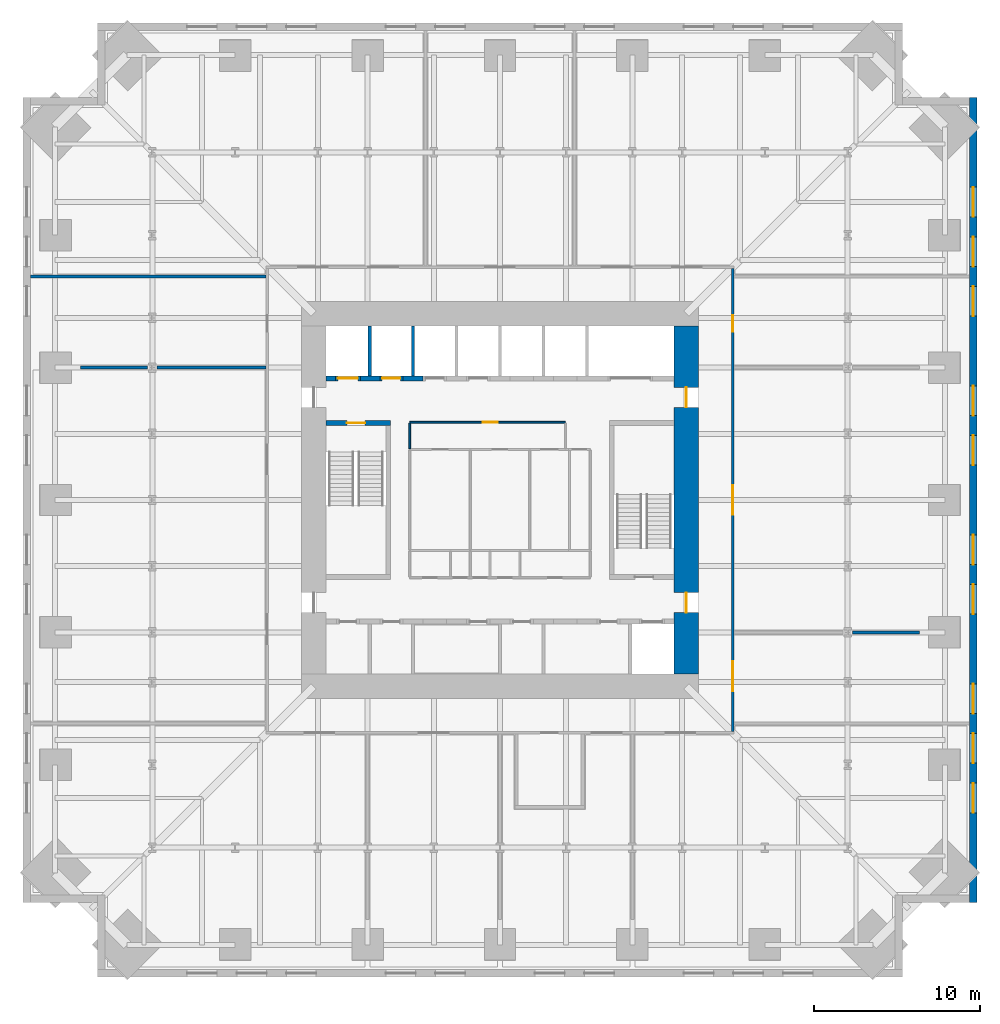
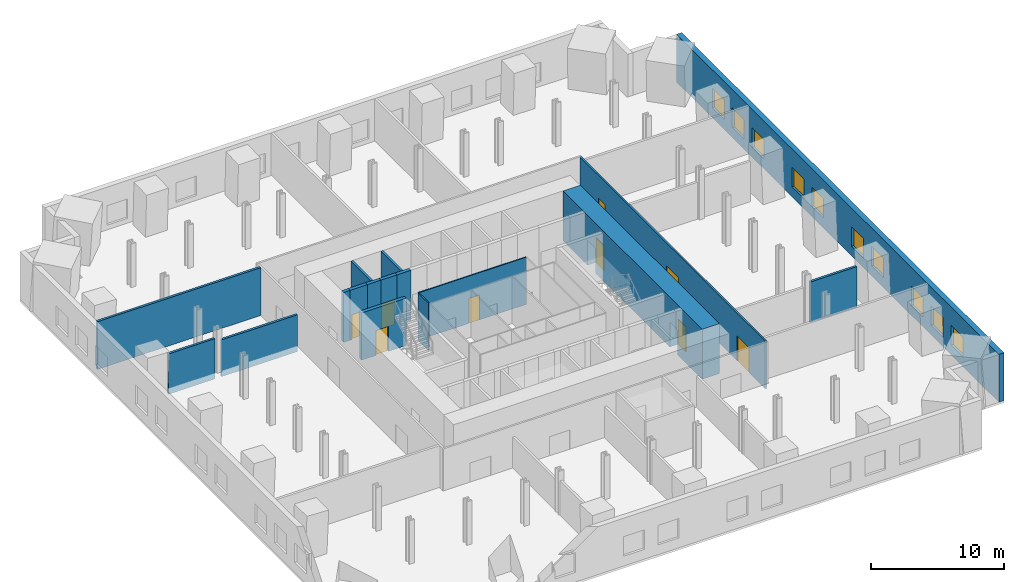
# One storey, part 6 of 9: 17 walls, 10 windows, 9 doors, 19 openings.
"""IFC4 building model written with IfcOpenShell, lengths in metres."""

from ifc_helpers import new_model, si_unit, direction, frame, frame_2d, origin, place, context, subcontext, project, spatial, rectangle, extrude, material, layer, layer_set, type_object, element, fill, save


model = new_model("IFC4")

# Units and contexts
model_context = context("Model", 3, precision=1e-05, world=origin(), true_north=direction((0.0, 1.0)))
body_context = subcontext(model_context, "Body", "Model", "MODEL_VIEW")
ifc_project = project(units=[si_unit("LENGTHUNIT", "METRE"), si_unit("AREAUNIT", "SQUARE_METRE"), si_unit("VOLUMEUNIT", "CUBIC_METRE"), si_unit("PLANEANGLEUNIT", "RADIAN"), si_unit("MASSUNIT", "GRAM", prefix="KILO")], contexts=[model_context])

# Site, building, storey
site_placement = place(None, origin())
site = spatial("IfcSite", under=ifc_project, at=site_placement, CompositionType="ELEMENT")
building_placement = place(site_placement, origin())
building = spatial("IfcBuilding", under=site, at=building_placement, Name="Peilmerk Tower", CompositionType="ELEMENT")
storey_placement = place(building_placement, frame((0.0, 0.0, 99.800048828125)))
storey = spatial("IfcBuildingStorey", under=building, at=storey_placement, Name="L19", CompositionType="ELEMENT", Elevation=99.800048828125)

# Wall, openings, windows
ifc_material_1 = material(Name="Precast concrete C45/55, board-marked finish", Category="concrete")
ifc_layer_1 = layer(ifc_material_1, 0.449951171875)
ifc_layer_set_1 = layer_set([ifc_layer_1], Name="Precast concrete C45/55, board-marked finish")
wall_type_1 = type_object("IfcWallType", Name="EW1 450 precast concrete facade wall, board-marked", PredefinedType="SOLIDWALL", material=ifc_layer_set_1)
wall_1_placement = place(storey_placement, frame((28.574951171875, -24.300048828125, 0.0), z_axis=(0.0, 0.0, 1.0), x_axis=(0.0, 1.0, 0.0)))
wall_1 = element("IfcWall", 1, at=wall_1_placement, inside=storey, type_object=wall_type_1, Name="Facade wall E L19", PredefinedType="SOLIDWALL", context=body_context, shape_type="SweptSolid", body=[
    extrude(rectangle(XDim=48.60009765625, YDim=0.449951171875, at=frame_2d((24.300048828125, 0.0))), origin(), (0.0, 0.0, 1.0), 4.39990234375),
])
opening_1_placement = place(wall_1_placement, frame((5.39990234375, 0.0, 0.89990234375)))
opening_1 = element("IfcOpeningElement", 2, at=opening_1_placement, cuts=wall_1, Name="Opening W3", PredefinedType="OPENING", context=body_context, shape_type="SweptSolid", body=[
    extrude(rectangle(XDim=1.800048828125, YDim=1.800048828125, at=frame_2d((0.89990234375, 0.89990234375))), frame((0.0, 0.23486328125, 0.0), z_axis=(0.0, -1.0, 0.0), x_axis=(1.0, 0.0, 0.0)), (0.0, 0.0, 1.0), 0.469970703125),
])
opening_2_placement = place(wall_1_placement, frame((8.39990234375, 0.0, 0.89990234375)))
opening_2 = element("IfcOpeningElement", 3, at=opening_2_placement, cuts=wall_1, Name="Opening W3", PredefinedType="OPENING", context=body_context, shape_type="SweptSolid", body=[
    extrude(rectangle(XDim=1.800048828125, YDim=1.800048828125, at=frame_2d((0.89990234375, 0.89990234375))), frame((0.0, 0.23486328125, 0.0), z_axis=(0.0, -1.0, 0.0), x_axis=(1.0, 0.0, 0.0)), (0.0, 0.0, 1.0), 0.469970703125),
])
opening_3_placement = place(wall_1_placement, frame((11.39990234375, 0.0, 0.89990234375)))
opening_3 = element("IfcOpeningElement", 4, at=opening_3_placement, cuts=wall_1, Name="Opening W3", PredefinedType="OPENING", context=body_context, shape_type="SweptSolid", body=[
    extrude(rectangle(XDim=1.800048828125, YDim=1.800048828125, at=frame_2d((0.89990234375, 0.89990234375))), frame((0.0, 0.23486328125, 0.0), z_axis=(0.0, -1.0, 0.0), x_axis=(1.0, 0.0, 0.0)), (0.0, 0.0, 1.0), 0.469970703125),
])
opening_4_placement = place(wall_1_placement, frame((17.39990234375, 0.0, 0.89990234375)))
opening_4 = element("IfcOpeningElement", 5, at=opening_4_placement, cuts=wall_1, Name="Opening W3", PredefinedType="OPENING", context=body_context, shape_type="SweptSolid", body=[
    extrude(rectangle(XDim=1.800048828125, YDim=1.800048828125, at=frame_2d((0.89990234375, 0.89990234375))), frame((0.0, 0.23486328125, 0.0), z_axis=(0.0, -1.0, 0.0), x_axis=(1.0, 0.0, 0.0)), (0.0, 0.0, 1.0), 0.469970703125),
])
opening_5_placement = place(wall_1_placement, frame((20.39990234375, 0.0, 0.89990234375)))
opening_5 = element("IfcOpeningElement", 6, at=opening_5_placement, cuts=wall_1, Name="Opening W3", PredefinedType="OPENING", context=body_context, shape_type="SweptSolid", body=[
    extrude(rectangle(XDim=1.800048828125, YDim=1.800048828125, at=frame_2d((0.89990234375, 0.89990234375))), frame((0.0, 0.23486328125, 0.0), z_axis=(0.0, -1.0, 0.0), x_axis=(1.0, 0.0, 0.0)), (0.0, 0.0, 1.0), 0.469970703125),
])
opening_6_placement = place(wall_1_placement, frame((26.39990234375, 0.0, 0.89990234375)))
opening_6 = element("IfcOpeningElement", 7, at=opening_6_placement, cuts=wall_1, Name="Opening W3", PredefinedType="OPENING", context=body_context, shape_type="SweptSolid", body=[
    extrude(rectangle(XDim=1.800048828125, YDim=1.800048828125, at=frame_2d((0.89990234375, 0.89990234375))), frame((0.0, 0.23486328125, 0.0), z_axis=(0.0, -1.0, 0.0), x_axis=(1.0, 0.0, 0.0)), (0.0, 0.0, 1.0), 0.469970703125),
])
opening_7_placement = place(wall_1_placement, frame((29.39990234375, 0.0, 0.89990234375)))
opening_7 = element("IfcOpeningElement", 8, at=opening_7_placement, cuts=wall_1, Name="Opening W3", PredefinedType="OPENING", context=body_context, shape_type="SweptSolid", body=[
    extrude(rectangle(XDim=1.800048828125, YDim=1.800048828125, at=frame_2d((0.89990234375, 0.89990234375))), frame((0.0, 0.23486328125, 0.0), z_axis=(0.0, -1.0, 0.0), x_axis=(1.0, 0.0, 0.0)), (0.0, 0.0, 1.0), 0.469970703125),
])
opening_8_placement = place(wall_1_placement, frame((35.39990234375, 0.0, 0.89990234375)))
opening_8 = element("IfcOpeningElement", 9, at=opening_8_placement, cuts=wall_1, Name="Opening W3", PredefinedType="OPENING", context=body_context, shape_type="SweptSolid", body=[
    extrude(rectangle(XDim=1.800048828125, YDim=1.800048828125, at=frame_2d((0.89990234375, 0.89990234375))), frame((0.0, 0.23486328125, 0.0), z_axis=(0.0, -1.0, 0.0), x_axis=(1.0, 0.0, 0.0)), (0.0, 0.0, 1.0), 0.469970703125),
])
opening_9_placement = place(wall_1_placement, frame((38.39990234375, 0.0, 0.89990234375)))
opening_9 = element("IfcOpeningElement", 10, at=opening_9_placement, cuts=wall_1, Name="Opening W3", PredefinedType="OPENING", context=body_context, shape_type="SweptSolid", body=[
    extrude(rectangle(XDim=1.800048828125, YDim=1.800048828125, at=frame_2d((0.89990234375, 0.89990234375))), frame((0.0, 0.23486328125, 0.0), z_axis=(0.0, -1.0, 0.0), x_axis=(1.0, 0.0, 0.0)), (0.0, 0.0, 1.0), 0.469970703125),
])
opening_10_placement = place(wall_1_placement, frame((41.39990234375, 0.0, 0.89990234375)))
opening_10 = element("IfcOpeningElement", 11, at=opening_10_placement, cuts=wall_1, Name="Opening W3", PredefinedType="OPENING", context=body_context, shape_type="SweptSolid", body=[
    extrude(rectangle(XDim=1.800048828125, YDim=1.800048828125, at=frame_2d((0.89990234375, 0.89990234375))), frame((0.0, 0.23486328125, 0.0), z_axis=(0.0, -1.0, 0.0), x_axis=(1.0, 0.0, 0.0)), (0.0, 0.0, 1.0), 0.469970703125),
])
ifc_material_2 = material(Name="Aluminium frame, clear double glazing", Category="aluminium")
window_type = type_object("IfcWindowType", Name="W3 1800x1800 telecom floor window", PartitioningType="SINGLE_PANEL", PredefinedType="WINDOW", material=ifc_material_2)
window_1_placement = place(opening_1_placement, origin())
window_1 = element("IfcWindow", 12, at=window_1_placement, inside=storey, type_object=window_type, Name="Window W3 L19", OverallHeight=1.800048828125, OverallWidth=1.800048828125, PartitioningType="SINGLE_PANEL", PredefinedType="WINDOW", context=body_context, shape_type="SweptSolid", body=[
    extrude(rectangle(XDim=1.800048828125, YDim=1.800048828125, at=frame_2d((0.89990234375, 0.89990234375))), frame((0.0, 0.030029296875, 0.0), z_axis=(0.0, -1.0, 0.0), x_axis=(1.0, 0.0, 0.0)), (0.0, 0.0, 1.0), 0.06005859375),
])
fill(opening_1, window_1)
window_2_placement = place(opening_2_placement, origin())
window_2 = element("IfcWindow", 13, at=window_2_placement, inside=storey, type_object=window_type, Name="Window W3 L19", OverallHeight=1.800048828125, OverallWidth=1.800048828125, PartitioningType="SINGLE_PANEL", PredefinedType="WINDOW", context=body_context, shape_type="SweptSolid", body=[
    extrude(rectangle(XDim=1.800048828125, YDim=1.800048828125, at=frame_2d((0.89990234375, 0.89990234375))), frame((0.0, 0.030029296875, 0.0), z_axis=(0.0, -1.0, 0.0), x_axis=(1.0, 0.0, 0.0)), (0.0, 0.0, 1.0), 0.06005859375),
])
fill(opening_2, window_2)
window_3_placement = place(opening_3_placement, origin())
window_3 = element("IfcWindow", 14, at=window_3_placement, inside=storey, type_object=window_type, Name="Window W3 L19", OverallHeight=1.800048828125, OverallWidth=1.800048828125, PartitioningType="SINGLE_PANEL", PredefinedType="WINDOW", context=body_context, shape_type="SweptSolid", body=[
    extrude(rectangle(XDim=1.800048828125, YDim=1.800048828125, at=frame_2d((0.89990234375, 0.89990234375))), frame((0.0, 0.030029296875, 0.0), z_axis=(0.0, -1.0, 0.0), x_axis=(1.0, 0.0, 0.0)), (0.0, 0.0, 1.0), 0.06005859375),
])
fill(opening_3, window_3)
window_4_placement = place(opening_4_placement, origin())
window_4 = element("IfcWindow", 15, at=window_4_placement, inside=storey, type_object=window_type, Name="Window W3 L19", OverallHeight=1.800048828125, OverallWidth=1.800048828125, PartitioningType="SINGLE_PANEL", PredefinedType="WINDOW", context=body_context, shape_type="SweptSolid", body=[
    extrude(rectangle(XDim=1.800048828125, YDim=1.800048828125, at=frame_2d((0.89990234375, 0.89990234375))), frame((0.0, 0.030029296875, 0.0), z_axis=(0.0, -1.0, 0.0), x_axis=(1.0, 0.0, 0.0)), (0.0, 0.0, 1.0), 0.06005859375),
])
fill(opening_4, window_4)
window_5_placement = place(opening_5_placement, origin())
window_5 = element("IfcWindow", 16, at=window_5_placement, inside=storey, type_object=window_type, Name="Window W3 L19", OverallHeight=1.800048828125, OverallWidth=1.800048828125, PartitioningType="SINGLE_PANEL", PredefinedType="WINDOW", context=body_context, shape_type="SweptSolid", body=[
    extrude(rectangle(XDim=1.800048828125, YDim=1.800048828125, at=frame_2d((0.89990234375, 0.89990234375))), frame((0.0, 0.030029296875, 0.0), z_axis=(0.0, -1.0, 0.0), x_axis=(1.0, 0.0, 0.0)), (0.0, 0.0, 1.0), 0.06005859375),
])
fill(opening_5, window_5)
window_6_placement = place(opening_6_placement, origin())
window_6 = element("IfcWindow", 17, at=window_6_placement, inside=storey, type_object=window_type, Name="Window W3 L19", OverallHeight=1.800048828125, OverallWidth=1.800048828125, PartitioningType="SINGLE_PANEL", PredefinedType="WINDOW", context=body_context, shape_type="SweptSolid", body=[
    extrude(rectangle(XDim=1.800048828125, YDim=1.800048828125, at=frame_2d((0.89990234375, 0.89990234375))), frame((0.0, 0.030029296875, 0.0), z_axis=(0.0, -1.0, 0.0), x_axis=(1.0, 0.0, 0.0)), (0.0, 0.0, 1.0), 0.06005859375),
])
fill(opening_6, window_6)
window_7_placement = place(opening_7_placement, origin())
window_7 = element("IfcWindow", 18, at=window_7_placement, inside=storey, type_object=window_type, Name="Window W3 L19", OverallHeight=1.800048828125, OverallWidth=1.800048828125, PartitioningType="SINGLE_PANEL", PredefinedType="WINDOW", context=body_context, shape_type="SweptSolid", body=[
    extrude(rectangle(XDim=1.800048828125, YDim=1.800048828125, at=frame_2d((0.89990234375, 0.89990234375))), frame((0.0, 0.030029296875, 0.0), z_axis=(0.0, -1.0, 0.0), x_axis=(1.0, 0.0, 0.0)), (0.0, 0.0, 1.0), 0.06005859375),
])
fill(opening_7, window_7)
window_8_placement = place(opening_8_placement, origin())
window_8 = element("IfcWindow", 19, at=window_8_placement, inside=storey, type_object=window_type, Name="Window W3 L19", OverallHeight=1.800048828125, OverallWidth=1.800048828125, PartitioningType="SINGLE_PANEL", PredefinedType="WINDOW", context=body_context, shape_type="SweptSolid", body=[
    extrude(rectangle(XDim=1.800048828125, YDim=1.800048828125, at=frame_2d((0.89990234375, 0.89990234375))), frame((0.0, 0.030029296875, 0.0), z_axis=(0.0, -1.0, 0.0), x_axis=(1.0, 0.0, 0.0)), (0.0, 0.0, 1.0), 0.06005859375),
])
fill(opening_8, window_8)
window_9_placement = place(opening_9_placement, origin())
window_9 = element("IfcWindow", 20, at=window_9_placement, inside=storey, type_object=window_type, Name="Window W3 L19", OverallHeight=1.800048828125, OverallWidth=1.800048828125, PartitioningType="SINGLE_PANEL", PredefinedType="WINDOW", context=body_context, shape_type="SweptSolid", body=[
    extrude(rectangle(XDim=1.800048828125, YDim=1.800048828125, at=frame_2d((0.89990234375, 0.89990234375))), frame((0.0, 0.030029296875, 0.0), z_axis=(0.0, -1.0, 0.0), x_axis=(1.0, 0.0, 0.0)), (0.0, 0.0, 1.0), 0.06005859375),
])
fill(opening_9, window_9)
window_10_placement = place(opening_10_placement, origin())
window_10 = element("IfcWindow", 21, at=window_10_placement, inside=storey, type_object=window_type, Name="Window W3 L19", OverallHeight=1.800048828125, OverallWidth=1.800048828125, PartitioningType="SINGLE_PANEL", PredefinedType="WINDOW", context=body_context, shape_type="SweptSolid", body=[
    extrude(rectangle(XDim=1.800048828125, YDim=1.800048828125, at=frame_2d((0.89990234375, 0.89990234375))), frame((0.0, 0.030029296875, 0.0), z_axis=(0.0, -1.0, 0.0), x_axis=(1.0, 0.0, 0.0)), (0.0, 0.0, 1.0), 0.06005859375),
])
fill(opening_10, window_10)

# Wall, openings, doors
ifc_material_3 = material(Name="Calcium silicate block", Category="masonry")
ifc_layer_2 = layer(ifc_material_3, 0.14990234375)
ifc_layer_set_2 = layer_set([ifc_layer_2], Name="Calcium silicate block")
wall_type_2 = type_object("IfcWallType", Name="IW1 150 corridor partition, EI 60", PredefinedType="PARTITIONING", material=ifc_layer_set_2)
wall_2_placement = place(storey_placement, frame((14.050048828125, -13.97509765625, 0.0), z_axis=(0.0, 0.0, 1.0), x_axis=(0.0, 1.0, 0.0)))
wall_2 = element("IfcWall", 22, at=wall_2_placement, inside=storey, type_object=wall_type_2, Name="Corridor wall E L19", PredefinedType="PARTITIONING", context=body_context, shape_type="SweptSolid", body=[
    extrude(rectangle(XDim=27.9501953125, YDim=0.14990234375, at=frame_2d((13.97509765625, 0.0))), origin(), (0.0, 0.0, 1.0), 4.39990234375),
])
opening_11_placement = place(wall_2_placement, frame((2.425048828125, 0.0, 0.0)))
opening_11 = element("IfcOpeningElement", 23, at=opening_11_placement, cuts=wall_2, Name="Opening D2", PredefinedType="OPENING", context=body_context, shape_type="SweptSolid", body=[
    extrude(rectangle(XDim=1.800048828125, YDim=2.300048828125, at=frame_2d((0.89990234375, 1.14990234375))), frame((0.0, 0.0849609375, 0.0), z_axis=(0.0, -1.0, 0.0), x_axis=(1.0, 0.0, 0.0)), (0.0, 0.0, 1.0), 0.169921875),
])
opening_12_placement = place(wall_2_placement, frame((13.074951171875, 0.0, 0.0)))
opening_12 = element("IfcOpeningElement", 24, at=opening_12_placement, cuts=wall_2, Name="Opening D2", PredefinedType="OPENING", context=body_context, shape_type="SweptSolid", body=[
    extrude(rectangle(XDim=1.800048828125, YDim=2.300048828125, at=frame_2d((0.89990234375, 1.14990234375))), frame((0.0, 0.0849609375, 0.0), z_axis=(0.0, -1.0, 0.0), x_axis=(1.0, 0.0, 0.0)), (0.0, 0.0, 1.0), 0.169921875),
])
opening_13_placement = place(wall_2_placement, frame((24.125, 0.0, 0.0)))
opening_13 = element("IfcOpeningElement", 25, at=opening_13_placement, cuts=wall_2, Name="Opening D1", PredefinedType="OPENING", context=body_context, shape_type="SweptSolid", body=[
    extrude(rectangle(XDim=1.0, YDim=2.300048828125, at=frame_2d((0.5, 1.14990234375))), frame((0.0, 0.0849609375, 0.0), z_axis=(0.0, -1.0, 0.0), x_axis=(1.0, 0.0, 0.0)), (0.0, 0.0, 1.0), 0.169921875),
])
ifc_material_4 = material(Name="Timber door in steel frame", Category="steel")
door_type_1 = type_object("IfcDoorType", Name="D1 1000x2300 room door, EI2 30", OperationType="SINGLE_SWING_LEFT", PredefinedType="DOOR", material=ifc_material_4)
door_1_placement = place(opening_13_placement, frame((1.0, 0.0, 0.0), z_axis=(0.0, 0.0, 1.0), x_axis=(-1.0, 0.0, 0.0)))
door_1 = element("IfcDoor", 26, at=door_1_placement, inside=storey, type_object=door_type_1, Name="Door Power distribution room L19", OperationType="SINGLE_SWING_LEFT", OverallHeight=2.300048828125, OverallWidth=1.0, PredefinedType="DOOR", context=body_context, shape_type="SweptSolid", body=[
    extrude(rectangle(XDim=1.0, YDim=2.300048828125, at=frame_2d((0.5, 1.14990234375))), frame((0.0, 0.02490234375, 0.0), z_axis=(0.0, -1.0, 0.0), x_axis=(1.0, 0.0, 0.0)), (0.0, 0.0, 1.0), 0.050048828125),
])
fill(opening_13, door_1)
ifc_material_5 = material(Name="Steel door in steel frame", Category="steel")
door_type_2 = type_object("IfcDoorType", Name="D2 1800x2300 double door, EI2 60", OperationType="DOUBLE_DOOR_DOUBLE_SWING", PredefinedType="DOOR", material=ifc_material_5)
door_2_placement = place(opening_11_placement, frame((1.800048828125, 0.0, 0.0), z_axis=(0.0, 0.0, 1.0), x_axis=(-1.0, 0.0, 0.0)))
door_2 = element("IfcDoor", 27, at=door_2_placement, inside=storey, type_object=door_type_2, Name="Door Rectifier room L19", OperationType="DOUBLE_DOOR_DOUBLE_SWING", OverallHeight=2.300048828125, OverallWidth=1.800048828125, PredefinedType="DOOR", context=body_context, shape_type="SweptSolid", body=[
    extrude(rectangle(XDim=1.800048828125, YDim=2.300048828125, at=frame_2d((0.89990234375, 1.14990234375))), frame((0.0, 0.02490234375, 0.0), z_axis=(0.0, -1.0, 0.0), x_axis=(1.0, 0.0, 0.0)), (0.0, 0.0, 1.0), 0.050048828125),
])
fill(opening_11, door_2)
door_3_placement = place(opening_12_placement, frame((1.800048828125, 0.0, 0.0), z_axis=(0.0, 0.0, 1.0), x_axis=(-1.0, 0.0, 0.0)))
door_3 = element("IfcDoor", 28, at=door_3_placement, inside=storey, type_object=door_type_2, Name="Door Battery room L19", OperationType="DOUBLE_DOOR_DOUBLE_SWING", OverallHeight=2.300048828125, OverallWidth=1.800048828125, PredefinedType="DOOR", context=body_context, shape_type="SweptSolid", body=[
    extrude(rectangle(XDim=1.800048828125, YDim=2.300048828125, at=frame_2d((0.89990234375, 1.14990234375))), frame((0.0, 0.02490234375, 0.0), z_axis=(0.0, -1.0, 0.0), x_axis=(1.0, 0.0, 0.0)), (0.0, 0.0, 1.0), 0.050048828125),
])
fill(opening_12, door_3)

# Walls
ifc_layer_3 = layer(ifc_material_3, 0.199951171875)
ifc_layer_set_3 = layer_set([ifc_layer_3], Name="Calcium silicate block")
wall_type_3 = type_object("IfcWallType", Name="IW2 200 room separating wall, EI 120", PredefinedType="PARTITIONING", material=ifc_layer_set_3)
wall_3_placement = place(storey_placement, frame((-28.35009765625, 13.5, 0.0), z_axis=(0.0, 0.0, 1.0), x_axis=(1.0, 0.0, 0.0)))
element("IfcWall", 29, at=wall_3_placement, inside=storey, type_object=wall_type_3, Name="Room separating wall NW L19", PredefinedType="PARTITIONING", context=body_context, shape_type="SweptSolid", body=[
    extrude(rectangle(XDim=14.22509765625, YDim=0.199951171875, at=frame_2d((7.112548828125, 0.0))), origin(), (0.0, 0.0, 1.0), 4.39990234375),
])
wall_4_placement = place(storey_placement, frame((21.284423828125, -8.0, 0.0), z_axis=(0.0, 0.0, 1.0), x_axis=(1.0, 0.0, 0.0)))
element("IfcWall", 30, at=wall_4_placement, inside=storey, type_object=wall_type_3, Name="Room separating wall E1b L19", PredefinedType="PARTITIONING", context=body_context, shape_type="SweptSolid", body=[
    extrude(rectangle(XDim=4.05908203125, YDim=0.199951171875, at=frame_2d((2.029541015625, 0.0))), origin(), (0.0, 0.0, 1.0), 3.7099609375),
])
wall_5_placement = place(storey_placement, frame((-14.125, 8.0, 0.0), z_axis=(0.0, 0.0, 1.0), x_axis=(-1.0, 0.0, 0.0)))
element("IfcWall", 31, at=wall_5_placement, inside=storey, type_object=wall_type_3, Name="Room separating wall W1 L19", PredefinedType="PARTITIONING", context=body_context, shape_type="SweptSolid", body=[
    extrude(rectangle(XDim=6.590576171875, YDim=0.199951171875, at=frame_2d((3.29541015625, 0.0))), origin(), (0.0, 0.0, 1.0), 3.391845703125),
])
wall_6_placement = place(storey_placement, frame((-21.284423828125, 8.0, 0.0), z_axis=(0.0, 0.0, 1.0), x_axis=(-1.0, 0.0, 0.0)))
element("IfcWall", 32, at=wall_6_placement, inside=storey, type_object=wall_type_3, Name="Room separating wall W1b L19", PredefinedType="PARTITIONING", context=body_context, shape_type="SweptSolid", body=[
    extrude(rectangle(XDim=4.05908203125, YDim=0.199951171875, at=frame_2d((2.029541015625, 0.0))), origin(), (0.0, 0.0, 1.0), 3.7099609375),
])

# Wall, opening, door
ifc_material_6 = material(Name="Concrete C35/45", Category="concrete")
ifc_layer_4 = layer(ifc_material_6, 0.300048828125)
ifc_layer_set_4 = layer_set([ifc_layer_4], Name="Concrete C35/45")
wall_type_4 = type_object("IfcWallType", Name="IW3 300 concrete stair enclosure wall, EI 120", PredefinedType="SOLIDWALL", material=ifc_layer_set_4)
wall_7_placement = place(storey_placement, frame((-10.5, 4.64990234375, 0.0), z_axis=(0.0, 0.0, 1.0), x_axis=(1.0, 0.0, 0.0)))
wall_7 = element("IfcWall", 33, at=wall_7_placement, inside=storey, type_object=wall_type_4, Name="Stair 1 enclosure L19", PredefinedType="SOLIDWALL", context=body_context, shape_type="SweptSolid", body=[
    extrude(rectangle(XDim=3.89990234375, YDim=0.300048828125, at=frame_2d((1.949951171875, 0.0))), origin(), (0.0, 0.0, 1.0), 4.349853515625),
])
opening_14_placement = place(wall_7_placement, frame((1.25, 0.0, 0.0)))
opening_14 = element("IfcOpeningElement", 34, at=opening_14_placement, cuts=wall_7, Name="Opening D4", PredefinedType="OPENING", context=body_context, shape_type="SweptSolid", body=[
    extrude(rectangle(XDim=1.10009765625, YDim=2.300048828125, at=frame_2d((0.550048828125, 1.14990234375))), frame((0.0, 0.159912109375, 0.0), z_axis=(0.0, -1.0, 0.0), x_axis=(1.0, 0.0, 0.0)), (0.0, 0.0, 1.0), 0.320068359375),
])
door_type_3 = type_object("IfcDoorType", Name="D4 1100x2300 stair door, EI2 60", OperationType="SINGLE_SWING_RIGHT", PredefinedType="DOOR", material=ifc_material_5)
door_4_placement = place(opening_14_placement, frame((1.10009765625, 0.0, 0.0), z_axis=(0.0, 0.0, 1.0), x_axis=(-1.0, 0.0, 0.0)))
door_4 = element("IfcDoor", 35, at=door_4_placement, inside=storey, type_object=door_type_3, Name="Stair 1 door L19", OperationType="SINGLE_SWING_RIGHT", OverallHeight=2.300048828125, OverallWidth=1.10009765625, PredefinedType="DOOR", context=body_context, shape_type="SweptSolid", body=[
    extrude(rectangle(XDim=1.10009765625, YDim=2.300048828125, at=frame_2d((0.550048828125, 1.14990234375))), frame((0.0, 0.02490234375, 0.0), z_axis=(0.0, -1.0, 0.0), x_axis=(1.0, 0.0, 0.0)), (0.0, 0.0, 1.0), 0.050048828125),
])
fill(opening_14, door_4)

ifc_material_7 = material(Name="Fire-resisting plasterboard on steel studs", Category="steel")
ifc_layer_5 = layer(ifc_material_7, 0.10009765625)
ifc_layer_set_5 = layer_set([ifc_layer_5], Name="Fire-resisting plasterboard on steel studs")
wall_type_5 = type_object("IfcWallType", Name="IW9 100 WC lobby wall, EI 30", PredefinedType="PARTITIONING", material=ifc_layer_set_5)
wall_8_placement = place(storey_placement, frame((-5.449951171875, 4.699951171875, 0.0), z_axis=(0.0, 0.0, 1.0), x_axis=(1.0, 0.0, 0.0)))
wall_8 = element("IfcWall", 36, at=wall_8_placement, inside=storey, type_object=wall_type_5, Name="WC lobby wall L19", PredefinedType="PARTITIONING", context=body_context, shape_type="SweptSolid", body=[
    extrude(rectangle(XDim=9.39990234375, YDim=0.10009765625, at=frame_2d((4.699951171875, 0.0))), origin(), (0.0, 0.0, 1.0), 4.349853515625),
])
opening_15_placement = place(wall_8_placement, frame((4.39990234375, 0.0, 0.0)))
opening_15 = element("IfcOpeningElement", 37, at=opening_15_placement, cuts=wall_8, Name="Opening D11", PredefinedType="OPENING", context=body_context, shape_type="SweptSolid", body=[
    extrude(rectangle(XDim=0.89990234375, YDim=2.300048828125, at=frame_2d((0.449951171875, 1.14990234375))), frame((0.0, 0.06005859375, 0.0), z_axis=(0.0, -1.0, 0.0), x_axis=(1.0, 0.0, 0.0)), (0.0, 0.0, 1.0), 0.1201171875),
])
door_type_4 = type_object("IfcDoorType", Name="D11 900x2300 WC lobby door, EI2 30", OperationType="SINGLE_SWING_LEFT", PredefinedType="DOOR", material=ifc_material_4)
door_5_placement = place(opening_15_placement, frame((0.89990234375, 0.0, 0.0), z_axis=(0.0, 0.0, 1.0), x_axis=(-1.0, 0.0, 0.0)))
door_5 = element("IfcDoor", 38, at=door_5_placement, inside=storey, type_object=door_type_4, Name="WC lobby door L19", OperationType="SINGLE_SWING_LEFT", OverallHeight=2.300048828125, OverallWidth=0.89990234375, PredefinedType="DOOR", context=body_context, shape_type="SweptSolid", body=[
    extrude(rectangle(XDim=0.89990234375, YDim=2.300048828125, at=frame_2d((0.449951171875, 1.14990234375))), frame((0.0, 0.02490234375, 0.0), z_axis=(0.0, -1.0, 0.0), x_axis=(1.0, 0.0, 0.0)), (0.0, 0.0, 1.0), 0.050048828125),
])
fill(opening_15, door_5)

# Walls
wall_9_placement = place(storey_placement, frame((-5.449951171875, 3.10009765625, 0.0), z_axis=(0.0, 0.0, 1.0), x_axis=(0.0, 1.0, 0.0)))
element("IfcWall", 39, at=wall_9_placement, inside=storey, type_object=wall_type_5, Name="WC lobby wall L19", PredefinedType="PARTITIONING", context=body_context, shape_type="SweptSolid", body=[
    extrude(rectangle(XDim=1.5498046875, YDim=0.10009765625, at=frame_2d((0.77490234375, 0.0))), origin(), (0.0, 0.0, 1.0), 4.349853515625),
])
ifc_layer_6 = layer(ifc_material_3, 0.199951171875)
ifc_layer_set_6 = layer_set([ifc_layer_6], Name="Calcium silicate block")
wall_type_6 = type_object("IfcWallType", Name="SH1 200 shaft dividing wall, EI 120", PredefinedType="PARTITIONING", material=ifc_layer_set_6)
for number, where, z_axis, x_axis, name in (
    (40, (-7.875, 7.5, 0.0), (0.0, 0.0, 1.0), (0.0, 1.0, 0.0), "Shaft wall N FL1 L19"),
    (41, (-5.25, 7.5, 0.0), (0.0, 0.0, 1.0), (0.0, 1.0, 0.0), "Shaft wall N A1 L19"),
):
    element("IfcWall", number, at=place(storey_placement, frame(where, z_axis=z_axis, x_axis=x_axis)), inside=storey, type_object=wall_type_6, Name=name, PredefinedType="PARTITIONING", context=body_context, shape_type="SweptSolid", body=[
        extrude(rectangle(XDim=3.0, YDim=0.199951171875, at=frame_2d((1.5, 0.0))), origin(), (0.0, 0.0, 1.0), 4.599853515625),
    ])

# Wall, opening, door
ifc_layer_7 = layer(ifc_material_3, 0.300048828125)
ifc_layer_set_7 = layer_set([ifc_layer_7], Name="Calcium silicate block")
wall_type_7 = type_object("IfcWallType", Name="SH2 300 lift landing door panel, EI 120", PredefinedType="PARTITIONING", material=ifc_layer_set_7)
wall_10_placement = place(storey_placement, frame((-9.9375, 7.35009765625, 0.0), z_axis=(0.0, 0.0, 1.0), x_axis=(1.0, 0.0, 0.0)))
wall_10 = element("IfcWall", 42, at=wall_10_placement, inside=storey, type_object=wall_type_7, Name="Lift door panel N FL1 L19", PredefinedType="PARTITIONING", context=body_context, shape_type="SweptSolid", body=[
    extrude(rectangle(XDim=1.5, YDim=0.300048828125, at=frame_2d((0.75, 0.0))), origin(), (0.0, 0.0, 1.0), 4.599853515625),
])
opening_16_placement = place(wall_10_placement, frame((0.14990234375, 0.0, 0.0)))
opening_16 = element("IfcOpeningElement", 43, at=opening_16_placement, cuts=wall_10, Name="Opening LD2", PredefinedType="OPENING", context=body_context, shape_type="SweptSolid", body=[
    extrude(rectangle(XDim=1.199951171875, YDim=2.300048828125, at=frame_2d((0.60009765625, 1.14990234375))), frame((0.0, 0.159912109375, 0.0), z_axis=(0.0, -1.0, 0.0), x_axis=(1.0, 0.0, 0.0)), (0.0, 0.0, 1.0), 0.320068359375),
])
ifc_material_8 = material(Name="Stainless steel landing door", Category="steel")
door_type_5 = type_object("IfcDoorType", Name="LD2 1200x2300 lift landing door, sliding, EI2 60", OperationType="SLIDING_TO_LEFT", PredefinedType="DOOR", material=ifc_material_8)
door_6_placement = place(opening_16_placement, frame((1.199951171875, 0.0, 0.0), z_axis=(0.0, 0.0, 1.0), x_axis=(-1.0, 0.0, 0.0)))
door_6 = element("IfcDoor", 44, at=door_6_placement, inside=storey, type_object=door_type_5, Name="Lift landing door FL1 L19", OperationType="SLIDING_TO_LEFT", OverallHeight=2.300048828125, OverallWidth=1.199951171875, PredefinedType="DOOR", context=body_context, shape_type="SweptSolid", body=[
    extrude(rectangle(XDim=1.199951171875, YDim=2.300048828125, at=frame_2d((0.60009765625, 1.14990234375))), frame((0.0, 0.02490234375, 0.0), z_axis=(0.0, -1.0, 0.0), x_axis=(1.0, 0.0, 0.0)), (0.0, 0.0, 1.0), 0.050048828125),
])
fill(opening_16, door_6)

wall_11_placement = place(storey_placement, frame((-7.262451171875, 7.35009765625, 0.0), z_axis=(0.0, 0.0, 1.0), x_axis=(1.0, 0.0, 0.0)))
wall_11 = element("IfcWall", 45, at=wall_11_placement, inside=storey, type_object=wall_type_7, Name="Lift door panel N A1 L19", PredefinedType="PARTITIONING", context=body_context, shape_type="SweptSolid", body=[
    extrude(rectangle(XDim=1.39990234375, YDim=0.300048828125, at=frame_2d((0.699951171875, 0.0))), origin(), (0.0, 0.0, 1.0), 4.599853515625),
])
opening_17_placement = place(wall_11_placement, frame((0.14990234375, 0.0, 0.0)))
opening_17 = element("IfcOpeningElement", 46, at=opening_17_placement, cuts=wall_11, Name="Opening LD1", PredefinedType="OPENING", context=body_context, shape_type="SweptSolid", body=[
    extrude(rectangle(XDim=1.10009765625, YDim=2.300048828125, at=frame_2d((0.550048828125, 1.14990234375))), frame((0.0, 0.159912109375, 0.0), z_axis=(0.0, -1.0, 0.0), x_axis=(1.0, 0.0, 0.0)), (0.0, 0.0, 1.0), 0.320068359375),
])
door_type_6 = type_object("IfcDoorType", Name="LD1 1100x2300 lift landing door, sliding, EI2 60", OperationType="SLIDING_TO_LEFT", PredefinedType="DOOR", material=ifc_material_8)
door_7_placement = place(opening_17_placement, frame((1.10009765625, 0.0, 0.0), z_axis=(0.0, 0.0, 1.0), x_axis=(-1.0, 0.0, 0.0)))
door_7 = element("IfcDoor", 47, at=door_7_placement, inside=storey, type_object=door_type_6, Name="Lift landing door A1 L19", OperationType="SLIDING_TO_LEFT", OverallHeight=2.300048828125, OverallWidth=1.10009765625, PredefinedType="DOOR", context=body_context, shape_type="SweptSolid", body=[
    extrude(rectangle(XDim=1.10009765625, YDim=2.300048828125, at=frame_2d((0.550048828125, 1.14990234375))), frame((0.0, 0.02490234375, 0.0), z_axis=(0.0, -1.0, 0.0), x_axis=(1.0, 0.0, 0.0)), (0.0, 0.0, 1.0), 0.050048828125),
])
fill(opening_17, door_7)

# Wall, openings, doors
ifc_material_9 = material(Name="Concrete C55/67", Category="concrete")
ifc_layer_8 = layer(ifc_material_9, 1.5)
ifc_layer_set_8 = layer_set([ifc_layer_8], Name="Concrete C55/67")
wall_type_8 = type_object("IfcWallType", Name="SW1 1500 core wall", PredefinedType="SHEAR", material=ifc_layer_set_8)
wall_12_placement = place(storey_placement, frame((11.25, 10.5, 0.0), z_axis=(0.0, 0.0, 1.0), x_axis=(0.0, -1.0, 0.0)))
wall_12 = element("IfcWall", 48, at=wall_12_placement, inside=storey, type_object=wall_type_8, Name="Core wall E L19", PredefinedType="SHEAR", context=body_context, shape_type="SweptSolid", body=[
    extrude(rectangle(XDim=21.0, YDim=1.5, at=frame_2d((10.5, 0.0))), origin(), (0.0, 0.0, 1.0), 4.599853515625),
])
opening_18_placement = place(wall_12_placement, frame((3.699951171875, 0.0, 0.0)))
opening_18 = element("IfcOpeningElement", 49, at=opening_18_placement, cuts=wall_12, Name="Opening D3", PredefinedType="OPENING", context=body_context, shape_type="SweptSolid", body=[
    extrude(rectangle(XDim=1.199951171875, YDim=2.300048828125, at=frame_2d((0.60009765625, 1.14990234375))), frame((0.0, 0.760009765625, 0.0), z_axis=(0.0, -1.0, 0.0), x_axis=(1.0, 0.0, 0.0)), (0.0, 0.0, 1.0), 1.52001953125),
])
opening_19_placement = place(wall_12_placement, frame((16.10009765625, 0.0, 0.0)))
opening_19 = element("IfcOpeningElement", 50, at=opening_19_placement, cuts=wall_12, Name="Opening D3", PredefinedType="OPENING", context=body_context, shape_type="SweptSolid", body=[
    extrude(rectangle(XDim=1.199951171875, YDim=2.300048828125, at=frame_2d((0.60009765625, 1.14990234375))), frame((0.0, 0.760009765625, 0.0), z_axis=(0.0, -1.0, 0.0), x_axis=(1.0, 0.0, 0.0)), (0.0, 0.0, 1.0), 1.52001953125),
])
door_type_7 = type_object("IfcDoorType", Name="D3 1200x2300 core door, EI2 60", OperationType="SINGLE_SWING_LEFT", PredefinedType="DOOR", material=ifc_material_5)
door_8_placement = place(opening_18_placement, frame((1.199951171875, 0.0, 0.0), z_axis=(0.0, 0.0, 1.0), x_axis=(-1.0, 0.0, 0.0)))
door_8 = element("IfcDoor", 51, at=door_8_placement, inside=storey, type_object=door_type_7, Name="Core door L19", OperationType="SINGLE_SWING_LEFT", OverallHeight=2.300048828125, OverallWidth=1.199951171875, PredefinedType="DOOR", context=body_context, shape_type="SweptSolid", body=[
    extrude(rectangle(XDim=1.199951171875, YDim=2.300048828125, at=frame_2d((0.60009765625, 1.14990234375))), frame((0.0, 0.02490234375, 0.0), z_axis=(0.0, -1.0, 0.0), x_axis=(1.0, 0.0, 0.0)), (0.0, 0.0, 1.0), 0.050048828125),
])
fill(opening_18, door_8)
door_9_placement = place(opening_19_placement, frame((1.199951171875, 0.0, 0.0), z_axis=(0.0, 0.0, 1.0), x_axis=(-1.0, 0.0, 0.0)))
door_9 = element("IfcDoor", 52, at=door_9_placement, inside=storey, type_object=door_type_7, Name="Core door L19", OperationType="SINGLE_SWING_LEFT", OverallHeight=2.300048828125, OverallWidth=1.199951171875, PredefinedType="DOOR", context=body_context, shape_type="SweptSolid", body=[
    extrude(rectangle(XDim=1.199951171875, YDim=2.300048828125, at=frame_2d((0.60009765625, 1.14990234375))), frame((0.0, 0.02490234375, 0.0), z_axis=(0.0, -1.0, 0.0), x_axis=(1.0, 0.0, 0.0)), (0.0, 0.0, 1.0), 0.050048828125),
])
fill(opening_19, door_9)

# Walls
ifc_layer_9 = layer(ifc_material_9, 0.300048828125)
ifc_layer_set_9 = layer_set([ifc_layer_9], Name="Concrete C55/67")
wall_type_9 = type_object("IfcWallType", Name="SW2 300 lift bank pier", PredefinedType="SHEAR", material=ifc_layer_set_9)
wall_13_placement = place(storey_placement, frame((-10.5, 7.35009765625, 0.0), z_axis=(0.0, 0.0, 1.0), x_axis=(1.0, 0.0, 0.0)))
element("IfcWall", 53, at=wall_13_placement, inside=storey, type_object=wall_type_9, Name="Lift bank pier N L19", PredefinedType="SHEAR", context=body_context, shape_type="SweptSolid", body=[
    extrude(rectangle(XDim=0.5625, YDim=0.300048828125, at=frame_2d((0.28125, 0.0))), origin(), (0.0, 0.0, 1.0), 4.599853515625),
])
wall_14_placement = place(storey_placement, frame((-8.4375, 7.35009765625, 0.0), z_axis=(0.0, 0.0, 1.0), x_axis=(1.0, 0.0, 0.0)))
element("IfcWall", 54, at=wall_14_placement, inside=storey, type_object=wall_type_9, Name="Lift bank pier N L19", PredefinedType="SHEAR", context=body_context, shape_type="SweptSolid", body=[
    extrude(rectangle(XDim=1.175048828125, YDim=0.300048828125, at=frame_2d((0.58740234375, 0.0))), origin(), (0.0, 0.0, 1.0), 4.599853515625),
])
wall_15_placement = place(storey_placement, frame((-5.862548828125, 7.35009765625, 0.0), z_axis=(0.0, 0.0, 1.0), x_axis=(1.0, 0.0, 0.0)))
element("IfcWall", 55, at=wall_15_placement, inside=storey, type_object=wall_type_9, Name="Lift bank pier N L19", PredefinedType="SHEAR", context=body_context, shape_type="SweptSolid", body=[
    extrude(rectangle(XDim=1.22509765625, YDim=0.300048828125, at=frame_2d((0.612548828125, 0.0))), origin(), (0.0, 0.0, 1.0), 4.599853515625),
])

save(model, "model.ifc")
